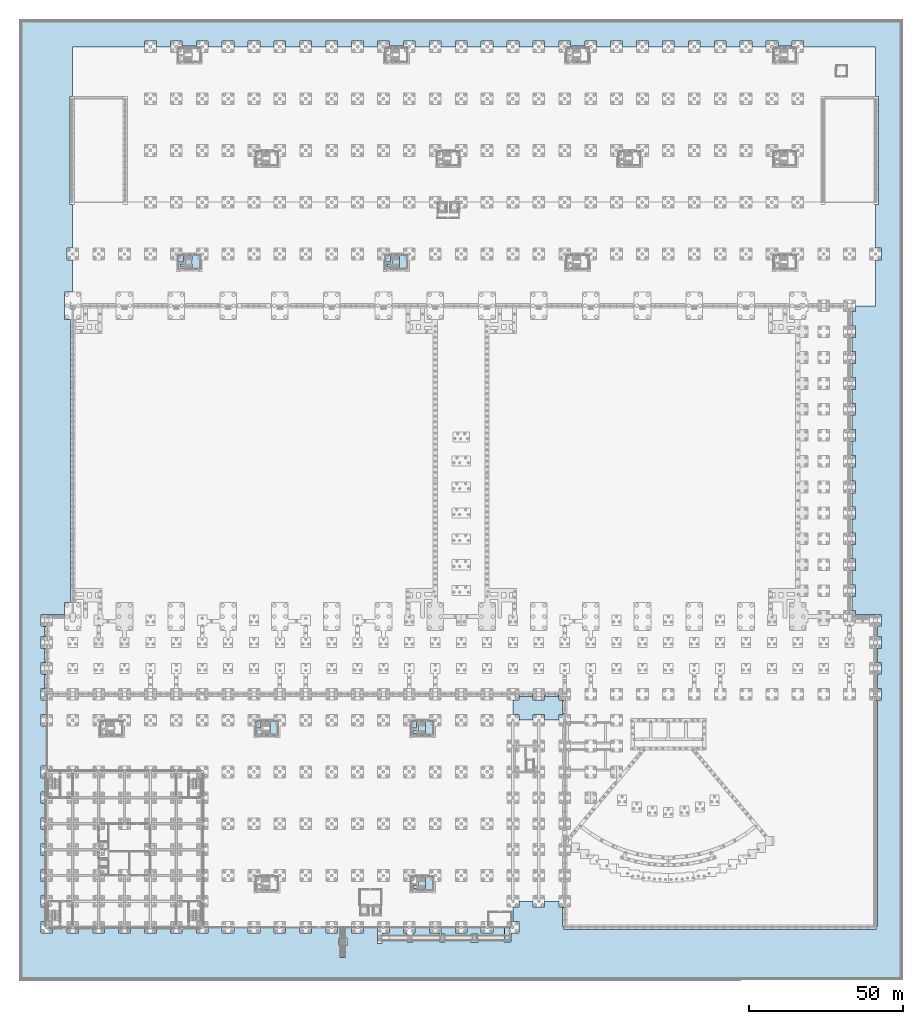
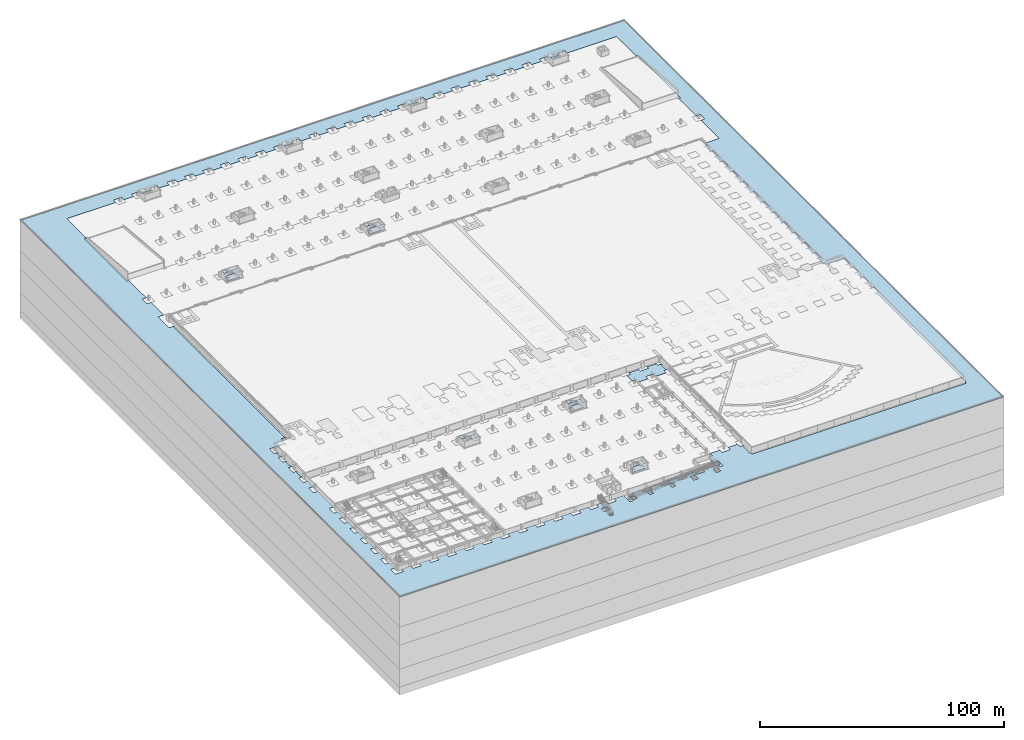
# One storey, part 31 of 67: 18 slabs, 6 elements without a shape of their own.
"""IFC4 building model written with IfcOpenShell, lengths in metres."""

from ifc_helpers import new_model, si_unit, direction, frame, origin, place, context, subcontext, project, spatial, polyline, outline, extrude, material, layer, layer_set, type_object, element, aggregate, save


model = new_model("IFC4")

# Units and contexts
model_context = context("Model", 3, precision=1e-05, world=origin(), true_north=direction((0.0, 1.0)))
body_context = subcontext(model_context, "Body", "Model", "MODEL_VIEW")
ifc_project = project(units=[si_unit("LENGTHUNIT", "METRE"), si_unit("AREAUNIT", "SQUARE_METRE"), si_unit("VOLUMEUNIT", "CUBIC_METRE"), si_unit("PLANEANGLEUNIT", "RADIAN"), si_unit("MASSUNIT", "GRAM", prefix="KILO")], contexts=[model_context])

# Site, building, storey
site_placement = place(None, origin())
site = spatial("IfcSite", under=ifc_project, at=site_placement, CompositionType="ELEMENT")
building_placement = place(site_placement, origin())
building = spatial("IfcBuilding", under=site, at=building_placement, Name="Rain Tree Exposition and Congress Centre", CompositionType="ELEMENT")
storey_placement = place(building_placement, frame((0.0, 0.0, -3.0)))
storey = spatial("IfcBuildingStorey", under=building, at=storey_placement, Name="B1", CompositionType="ELEMENT", Elevation=-3.0)

# Slabs
ifc_material_1 = material(Name="Concrete C40/50", Category="concrete")
ifc_layer_1 = layer(ifc_material_1, 0.300048828125)
ifc_layer_set_1 = layer_set([ifc_layer_1], Name="Concrete C40/50")
slab_type_1 = type_object("IfcSlabType", Name="Base slab 300", PredefinedType="BASESLAB", material=ifc_layer_set_1)
slab_1_placement = place(storey_placement, frame((0.0, 0.0, -0.300048828125)))
element("IfcSlab", 1, at=slab_1_placement, inside=storey, type_object=slab_type_1, Name="Undercroft base slab 1 part 1", PredefinedType="BASESLAB", context=body_context, shape_type="SweptSolid", body=[
    extrude(outline(polyline([(119.5, 66.300048828125), (119.5, 65.300048828125), (118.800048828125, 65.300048828125), (118.800048828125, 65.10009765625), (119.89990234375, 65.10009765625), (120.5, 65.10009765625), (120.5, 63.89990234375), (118.800048828125, 63.89990234375), (118.800048828125, 62.89990234375), (121.800048828125, 62.89990234375), (124.800048828125, 62.89990234375), (124.800048828125, 65.300048828125), (124.10009765625, 65.300048828125), (124.10009765625, 66.300048828125), (121.800048828125, 66.300048828125), (119.5, 66.300048828125)])), origin(), (0.0, 0.0, 1.0), 0.300048828125),
])
slab_2_placement = place(storey_placement, frame((0.0, 0.0, -0.300048828125)))
element("IfcSlab", 2, at=slab_2_placement, inside=storey, type_object=slab_type_1, Name="Undercroft base slab 1 part 4", PredefinedType="BASESLAB", context=body_context, shape_type="SweptSolid", body=[
    extrude(outline(polyline([(119.5, 15.89990234375), (119.5, 14.89990234375), (118.800048828125, 14.89990234375), (118.800048828125, 14.699951171875), (119.89990234375, 14.699951171875), (120.5, 14.699951171875), (120.5, 13.5), (118.800048828125, 13.5), (118.800048828125, 12.5), (121.800048828125, 12.5), (124.800048828125, 12.5), (124.800048828125, 14.89990234375), (124.10009765625, 14.89990234375), (124.10009765625, 15.89990234375), (121.800048828125, 15.89990234375), (119.5, 15.89990234375)])), origin(), (0.0, 0.0, 1.0), 0.300048828125),
])
slab_3_placement = place(storey_placement, frame((0.0, 0.0, -0.300048828125)))
element("IfcSlab", 3, at=slab_3_placement, inside=storey, type_object=slab_type_1, Name="Undercroft base slab 2 part 2", PredefinedType="BASESLAB", context=body_context, shape_type="SweptSolid", body=[
    extrude(outline(polyline([(111.10009765625, 217.5), (111.10009765625, 216.5), (110.39990234375, 216.5), (110.39990234375, 216.300048828125), (111.5, 216.300048828125), (112.10009765625, 216.300048828125), (112.10009765625, 215.10009765625), (110.39990234375, 215.10009765625), (110.39990234375, 214.10009765625), (113.39990234375, 214.10009765625), (116.39990234375, 214.10009765625), (116.39990234375, 216.5), (115.699951171875, 216.5), (115.699951171875, 217.5), (113.39990234375, 217.5), (111.10009765625, 217.5)])), origin(), (0.0, 0.0, 1.0), 0.300048828125),
])
slab_4_placement = place(storey_placement, frame((0.0, 0.0, -0.300048828125)))
element("IfcSlab", 4, at=slab_4_placement, inside=storey, type_object=slab_type_1, Name="Undercroft base slab 2 part 4", PredefinedType="BASESLAB", context=body_context, shape_type="SweptSolid", body=[
    extrude(outline(polyline([(44.300048828125, 216.300048828125), (44.89990234375, 216.300048828125), (44.89990234375, 215.10009765625), (43.199951171875, 215.10009765625), (43.199951171875, 214.10009765625), (46.199951171875, 214.10009765625), (49.199951171875, 214.10009765625), (49.199951171875, 216.5), (48.5, 216.5), (48.5, 217.5), (46.199951171875, 217.5), (43.89990234375, 217.5), (43.89990234375, 216.5), (43.199951171875, 216.5), (43.199951171875, 216.300048828125), (44.300048828125, 216.300048828125)])), origin(), (0.0, 0.0, 1.0), 0.300048828125),
])
ifc_material_2 = material(Name="Concrete C40/50", Category="concrete")
ifc_layer_2 = layer(ifc_material_2, 0.199951171875)
ifc_layer_set_2 = layer_set([ifc_layer_2], Name="Concrete C40/50")
slab_type_2 = type_object("IfcSlabType", Name="Paving slab 200", PredefinedType="BASESLAB", material=ifc_layer_set_2)
slab_5_placement = place(storey_placement, frame((0.0, 0.0, -0.199951171875)))
element("IfcSlab", 5, at=slab_5_placement, inside=storey, type_object=slab_type_2, Name="Boulevard paving 1", PredefinedType="BASESLAB", context=body_context, shape_type="SweptSolid", body=[
    extrude(outline(polyline([(-8.39990234375, 294.0), (-8.39990234375, -16.800048828125), (277.199951171875, -16.800048828125), (277.199951171875, 294.0), (-8.39990234375, 294.0)]), holes=[polyline([(0.0, 43.89990234375), (-1.89990234375, 43.89990234375), (-1.89990234375, 40.10009765625), (0.0, 40.10009765625), (0.0, 35.5), (-1.89990234375, 35.5), (-1.89990234375, 31.699951171875), (0.0, 31.699951171875), (0.0, 27.10009765625), (-1.89990234375, 27.10009765625), (-1.89990234375, 23.300048828125), (0.0, 23.300048828125), (0.0, 18.699951171875), (-1.89990234375, 18.699951171875), (-1.89990234375, 14.89990234375), (0.0, 14.89990234375), (0.0, 10.300048828125), (-1.89990234375, 10.300048828125), (-1.89990234375, 6.5), (0.0, 6.5), (0.0, 1.89990234375), (-1.89990234375, 1.89990234375), (-1.89990234375, -1.89990234375), (1.89990234375, -1.89990234375), (1.89990234375, 0.0), (6.5, 0.0), (6.5, -1.89990234375), (10.300048828125, -1.89990234375), (10.300048828125, 0.0), (14.89990234375, 0.0), (14.89990234375, -1.89990234375), (18.699951171875, -1.89990234375), (18.699951171875, 0.0), (23.300048828125, 0.0), (23.300048828125, -1.89990234375), (27.10009765625, -1.89990234375), (27.10009765625, 0.0), (31.699951171875, 0.0), (31.699951171875, -1.89990234375), (35.5, -1.89990234375), (35.5, 0.0), (40.10009765625, 0.0), (40.10009765625, -1.89990234375), (43.89990234375, -1.89990234375), (43.89990234375, 0.0), (48.5, 0.0), (48.5, -1.89990234375), (52.300048828125, -1.89990234375), (52.300048828125, 0.0), (56.89990234375, 0.0), (56.89990234375, -1.89990234375), (60.699951171875, -1.89990234375), (60.699951171875, 0.0), (65.300048828125, 0.0), (65.300048828125, -1.89990234375), (69.10009765625, -1.89990234375), (69.10009765625, 0.0), (73.699951171875, 0.0), (73.699951171875, -1.89990234375), (77.5, -1.89990234375), (77.5, 0.0), (82.10009765625, 0.0), (82.10009765625, -1.89990234375), (85.89990234375, -1.89990234375), (85.89990234375, 0.0), (90.5, 0.0), (90.5, -1.89990234375), (94.300048828125, -1.89990234375), (94.300048828125, 0.0), (98.89990234375, 0.0), (98.89990234375, -1.89990234375), (102.699951171875, -1.89990234375), (102.699951171875, 0.0), (107.300048828125, 0.0), (107.300048828125, -1.800048828125), (107.199951171875, -1.800048828125), (107.199951171875, -2.60009765625), (107.199951171875, -5.199951171875), (108.800048828125, -5.199951171875), (108.800048828125, -4.39990234375), (111.0, -4.39990234375), (111.0, -2.60009765625), (108.800048828125, -2.60009765625), (108.800048828125, -1.89990234375), (111.10009765625, -1.89990234375), (111.10009765625, 0.0), (115.699951171875, 0.0), (115.699951171875, -1.89990234375), (116.800048828125, -1.89990234375), (116.800048828125, -4.75), (118.699951171875, -4.75), (118.699951171875, -1.89990234375), (119.5, -1.89990234375), (119.5, 0.0), (124.10009765625, 0.0), (124.10009765625, -1.89990234375), (127.300048828125, -1.89990234375), (127.300048828125, -4.75), (129.199951171875, -4.75), (129.199951171875, -2.25), (127.89990234375, -2.25), (127.89990234375, 0.0), (132.5, 0.0), (132.5, -1.89990234375), (136.300048828125, -1.89990234375), (136.300048828125, 0.0), (140.89990234375, 0.0), (140.89990234375, -1.89990234375), (144.699951171875, -1.89990234375), (144.699951171875, 0.0), (149.300048828125, 0.0), (149.300048828125, -2.25), (148.300048828125, -2.25), (148.300048828125, -4.75), (150.5, -4.75), (150.5, -1.89990234375), (153.10009765625, -1.89990234375), (153.10009765625, 1.89990234375), (151.199951171875, 1.89990234375), (151.199951171875, 6.5), (153.10009765625, 6.5), (153.10009765625, 8.39990234375), (157.699951171875, 8.39990234375), (157.699951171875, 6.5), (161.5, 6.5), (161.5, 8.39990234375), (166.10009765625, 8.39990234375), (166.10009765625, 6.5), (168.0, 6.5), (168.0, 6.199951171875), (167.300048828125, 6.199951171875), (167.300048828125, 0.199951171875), (167.800048828125, 0.199951171875), (167.800048828125, -0.699951171875), (175.584716796875, -0.699951171875), (183.369140625, -0.699951171875), (191.15380859375, -0.699951171875), (198.9384765625, -0.699951171875), (206.72314453125, -0.699951171875), (214.5078125, -0.699951171875), (222.292236328125, -0.699951171875), (230.076904296875, -0.699951171875), (237.861572265625, -0.699951171875), (245.646240234375, -0.699951171875), (253.430908203125, -0.699951171875), (261.21533203125, -0.699951171875), (269.0, -0.699951171875), (269.0, 0.199951171875), (269.5, 0.199951171875), (269.5, 8.5), (269.5, 16.800048828125), (269.5, 25.10009765625), (269.5, 33.39990234375), (269.5, 41.699951171875), (269.5, 50.0), (269.5, 58.300048828125), (269.5, 66.60009765625), (269.5, 73.39990234375), (268.800048828125, 73.39990234375), (268.800048828125, 73.699951171875), (270.699951171875, 73.699951171875), (270.699951171875, 77.5), (268.800048828125, 77.5), (268.800048828125, 77.800048828125), (269.5, 77.800048828125), (269.5, 81.800048828125), (268.800048828125, 81.800048828125), (268.800048828125, 82.10009765625), (270.699951171875, 82.10009765625), (270.699951171875, 85.89990234375), (268.800048828125, 85.89990234375), (268.800048828125, 86.199951171875), (269.5, 86.199951171875), (269.5, 90.199951171875), (268.800048828125, 90.199951171875), (268.800048828125, 90.5), (270.699951171875, 90.5), (270.699951171875, 94.300048828125), (268.800048828125, 94.300048828125), (268.800048828125, 94.60009765625), (269.5, 94.60009765625), (269.5, 97.39990234375), (268.800048828125, 97.39990234375), (268.800048828125, 97.699951171875), (270.699951171875, 97.699951171875), (270.699951171875, 101.5), (266.89990234375, 101.5), (266.89990234375, 100.800048828125), (266.60009765625, 100.800048828125), (266.60009765625, 101.5), (262.60009765625, 101.5), (262.60009765625, 100.800048828125), (262.300048828125, 100.800048828125), (262.300048828125, 102.699951171875), (260.39990234375, 102.699951171875), (260.39990234375, 103.0), (261.10009765625, 103.0), (261.10009765625, 107.0), (260.39990234375, 107.0), (260.39990234375, 107.300048828125), (262.300048828125, 107.300048828125), (262.300048828125, 111.10009765625), (260.39990234375, 111.10009765625), (260.39990234375, 111.39990234375), (261.10009765625, 111.39990234375), (261.10009765625, 115.39990234375), (260.39990234375, 115.39990234375), (260.39990234375, 115.699951171875), (262.300048828125, 115.699951171875), (262.300048828125, 119.5), (260.39990234375, 119.5), (260.39990234375, 119.800048828125), (261.10009765625, 119.800048828125), (261.10009765625, 123.800048828125), (260.39990234375, 123.800048828125), (260.39990234375, 124.10009765625), (262.300048828125, 124.10009765625), (262.300048828125, 127.89990234375), (260.39990234375, 127.89990234375), (260.39990234375, 128.199951171875), (261.10009765625, 128.199951171875), (261.10009765625, 132.199951171875), (260.39990234375, 132.199951171875), (260.39990234375, 132.5), (262.300048828125, 132.5), (262.300048828125, 136.300048828125), (260.39990234375, 136.300048828125), (260.39990234375, 136.60009765625), (261.10009765625, 136.60009765625), (261.10009765625, 140.60009765625), (260.39990234375, 140.60009765625), (260.39990234375, 140.89990234375), (262.300048828125, 140.89990234375), (262.300048828125, 144.699951171875), (260.39990234375, 144.699951171875), (260.39990234375, 145.0), (261.10009765625, 145.0), (261.10009765625, 149.0), (260.39990234375, 149.0), (260.39990234375, 149.300048828125), (262.300048828125, 149.300048828125), (262.300048828125, 153.10009765625), (260.39990234375, 153.10009765625), (260.39990234375, 153.39990234375), (261.10009765625, 153.39990234375), (261.10009765625, 157.39990234375), (260.39990234375, 157.39990234375), (260.39990234375, 157.699951171875), (262.300048828125, 157.699951171875), (262.300048828125, 161.5), (260.39990234375, 161.5), (260.39990234375, 161.800048828125), (261.10009765625, 161.800048828125), (261.10009765625, 165.800048828125), (260.39990234375, 165.800048828125), (260.39990234375, 166.10009765625), (262.300048828125, 166.10009765625), (262.300048828125, 169.89990234375), (260.39990234375, 169.89990234375), (260.39990234375, 170.199951171875), (261.10009765625, 170.199951171875), (261.10009765625, 174.199951171875), (260.39990234375, 174.199951171875), (260.39990234375, 174.5), (262.300048828125, 174.5), (262.300048828125, 178.300048828125), (260.39990234375, 178.300048828125), (260.39990234375, 178.60009765625), (261.10009765625, 178.60009765625), (261.10009765625, 182.60009765625), (260.39990234375, 182.60009765625), (260.39990234375, 182.89990234375), (262.300048828125, 182.89990234375), (262.300048828125, 186.699951171875), (260.39990234375, 186.699951171875), (260.39990234375, 187.0), (261.10009765625, 187.0), (261.10009765625, 191.0), (260.39990234375, 191.0), (260.39990234375, 191.300048828125), (262.300048828125, 191.300048828125), (262.300048828125, 195.10009765625), (260.39990234375, 195.10009765625), (260.39990234375, 195.39990234375), (261.10009765625, 195.39990234375), (261.10009765625, 199.39990234375), (260.39990234375, 199.39990234375), (260.39990234375, 199.699951171875), (262.300048828125, 199.699951171875), (262.300048828125, 201.60009765625), (268.800048828125, 201.60009765625), (268.800048828125, 216.5), (270.699951171875, 216.5), (270.699951171875, 220.300048828125), (268.800048828125, 220.300048828125), (268.800048828125, 234.5), (269.699951171875, 234.5), (269.699951171875, 235.199951171875), (269.699951171875, 269.5), (268.800048828125, 269.5), (268.800048828125, 285.60009765625), (245.5, 285.60009765625), (245.5, 287.5), (241.699951171875, 287.5), (241.699951171875, 285.89990234375), (239.39990234375, 285.89990234375), (237.10009765625, 285.89990234375), (237.10009765625, 287.5), (233.300048828125, 287.5), (233.300048828125, 285.60009765625), (228.699951171875, 285.60009765625), (228.699951171875, 287.5), (224.89990234375, 287.5), (224.89990234375, 285.60009765625), (220.300048828125, 285.60009765625), (220.300048828125, 287.5), (216.5, 287.5), (216.5, 285.60009765625), (211.89990234375, 285.60009765625), (211.89990234375, 287.5), (208.10009765625, 287.5), (208.10009765625, 285.60009765625), (203.5, 285.60009765625), (203.5, 287.5), (199.699951171875, 287.5), (199.699951171875, 285.60009765625), (195.10009765625, 285.60009765625), (195.10009765625, 287.5), (191.300048828125, 287.5), (191.300048828125, 285.60009765625), (186.699951171875, 285.60009765625), (186.699951171875, 287.5), (182.89990234375, 287.5), (182.89990234375, 285.60009765625), (178.300048828125, 285.60009765625), (178.300048828125, 287.5), (174.5, 287.5), (174.5, 285.89990234375), (172.199951171875, 285.89990234375), (169.89990234375, 285.89990234375), (169.89990234375, 287.5), (166.10009765625, 287.5), (166.10009765625, 285.60009765625), (161.5, 285.60009765625), (161.5, 287.5), (157.699951171875, 287.5), (157.699951171875, 285.60009765625), (153.10009765625, 285.60009765625), (153.10009765625, 287.5), (149.300048828125, 287.5), (149.300048828125, 285.60009765625), (144.699951171875, 285.60009765625), (144.699951171875, 287.5), (140.89990234375, 287.5), (140.89990234375, 285.60009765625), (136.300048828125, 285.60009765625), (136.300048828125, 287.5), (132.5, 287.5), (132.5, 285.60009765625), (127.89990234375, 285.60009765625), (127.89990234375, 287.5), (124.10009765625, 287.5), (124.10009765625, 285.60009765625), (119.5, 285.60009765625), (119.5, 287.5), (115.699951171875, 287.5), (115.699951171875, 285.89990234375), (113.39990234375, 285.89990234375), (111.10009765625, 285.89990234375), (111.10009765625, 287.5), (107.300048828125, 287.5), (107.300048828125, 285.60009765625), (102.699951171875, 285.60009765625), (102.699951171875, 287.5), (98.89990234375, 287.5), (98.89990234375, 285.60009765625), (94.300048828125, 285.60009765625), (94.300048828125, 287.5), (90.5, 287.5), (90.5, 285.60009765625), (85.89990234375, 285.60009765625), (85.89990234375, 287.5), (82.10009765625, 287.5), (82.10009765625, 285.60009765625), (77.5, 285.60009765625), (77.5, 287.5), (73.699951171875, 287.5), (73.699951171875, 285.60009765625), (69.10009765625, 285.60009765625), (69.10009765625, 287.5), (65.300048828125, 287.5), (65.300048828125, 285.60009765625), (60.699951171875, 285.60009765625), (60.699951171875, 287.5), (56.89990234375, 287.5), (56.89990234375, 285.60009765625), (52.300048828125, 285.60009765625), (52.300048828125, 287.5), (48.5, 287.5), (48.5, 285.89990234375), (46.199951171875, 285.89990234375), (43.89990234375, 285.89990234375), (43.89990234375, 287.5), (40.10009765625, 287.5), (40.10009765625, 285.60009765625), (35.5, 285.60009765625), (35.5, 287.5), (31.699951171875, 287.5), (31.699951171875, 285.60009765625), (8.39990234375, 285.60009765625), (8.39990234375, 269.5), (7.5, 269.5), (7.5, 268.800048828125), (7.5, 234.5), (8.39990234375, 234.5), (8.39990234375, 220.300048828125), (6.5, 220.300048828125), (6.5, 216.5), (8.39990234375, 216.5), (8.39990234375, 206.10009765625), (5.699951171875, 206.10009765625), (5.699951171875, 197.10009765625), (8.39990234375, 197.10009765625), (8.39990234375, 196.800048828125), (7.699951171875, 196.800048828125), (7.699951171875, 192.24169921875), (7.699951171875, 184.033203125), (7.699951171875, 175.824951171875), (7.699951171875, 167.61669921875), (7.699951171875, 159.408203125), (7.699951171875, 151.199951171875), (7.699951171875, 142.99169921875), (7.699951171875, 134.783203125), (7.699951171875, 126.574951171875), (7.699951171875, 118.36669921875), (7.699951171875, 110.158203125), (7.699951171875, 105.60009765625), (8.39990234375, 105.60009765625), (8.39990234375, 105.300048828125), (5.699951171875, 105.300048828125), (5.699951171875, 100.800048828125), (5.39990234375, 100.800048828125), (5.39990234375, 101.5), (2.199951171875, 101.5), (2.199951171875, 100.800048828125), (1.89990234375, 100.800048828125), (1.89990234375, 101.5), (-1.89990234375, 101.5), (-1.89990234375, 97.699951171875), (0.0, 97.699951171875), (0.0, 97.39990234375), (-0.699951171875, 97.39990234375), (-0.699951171875, 94.60009765625), (0.0, 94.60009765625), (0.0, 94.300048828125), (-1.89990234375, 94.300048828125), (-1.89990234375, 90.5), (0.0, 90.5), (0.0, 90.199951171875), (-0.699951171875, 90.199951171875), (-0.699951171875, 86.199951171875), (0.0, 86.199951171875), (0.0, 85.89990234375), (-1.89990234375, 85.89990234375), (-1.89990234375, 82.10009765625), (0.0, 82.10009765625), (0.0, 81.800048828125), (-0.699951171875, 81.800048828125), (-0.699951171875, 77.800048828125), (0.0, 77.800048828125), (0.0, 77.5), (-1.89990234375, 77.5), (-1.89990234375, 73.699951171875), (0.0, 73.699951171875), (0.0, 69.10009765625), (-1.89990234375, 69.10009765625), (-1.89990234375, 65.300048828125), (0.0, 65.300048828125), (0.0, 52.300048828125), (-1.89990234375, 52.300048828125), (-1.89990234375, 48.5), (0.0, 48.5), (0.0, 43.89990234375)]), polyline([(95.10009765625, -8.5), (95.10009765625, -9.800048828125), (96.89990234375, -9.800048828125), (96.89990234375, -8.5), (95.10009765625, -8.5)]), polyline([(94.699951171875, -5.949951171875), (95.39990234375, -5.949951171875), (95.5, -5.949951171875), (96.199951171875, -5.949951171875), (96.5, -5.949951171875), (97.300048828125, -5.949951171875), (97.300048828125, -4.949951171875), (97.300048828125, -4.550048828125), (97.300048828125, -3.550048828125), (96.60009765625, -3.550048828125), (96.5, -3.550048828125), (95.800048828125, -3.550048828125), (95.5, -3.550048828125), (94.699951171875, -3.550048828125), (94.699951171875, -4.550048828125), (94.699951171875, -4.949951171875), (94.699951171875, -5.949951171875)]), polyline([(137.64990234375, -4.89990234375), (138.449951171875, -4.89990234375), (139.050048828125, -4.89990234375), (139.85009765625, -4.89990234375), (139.85009765625, -4.199951171875), (139.85009765625, -3.89990234375), (139.85009765625, -3.199951171875), (139.85009765625, -3.10009765625), (139.85009765625, -2.10009765625), (139.050048828125, -2.10009765625), (138.449951171875, -2.10009765625), (137.64990234375, -2.10009765625), (137.64990234375, -2.800048828125), (137.64990234375, -3.10009765625), (137.64990234375, -3.800048828125), (137.64990234375, -3.89990234375), (137.64990234375, -4.89990234375)])]), origin(), (0.0, 0.0, 1.0), 0.199951171875),
])
slab_6_placement = place(storey_placement, frame((0.0, 0.0, -0.199951171875)))
element("IfcSlab", 6, at=slab_6_placement, inside=storey, type_object=slab_type_2, Name="Boulevard paving 2", PredefinedType="BASESLAB", context=body_context, shape_type="SweptSolid", body=[
    extrude(outline(polyline([(166.10009765625, 75.60009765625), (165.800048828125, 75.60009765625), (165.800048828125, 74.89990234375), (161.800048828125, 74.89990234375), (161.800048828125, 75.60009765625), (161.5, 75.60009765625), (161.5, 73.699951171875), (157.699951171875, 73.699951171875), (157.699951171875, 75.60009765625), (157.39990234375, 75.60009765625), (157.39990234375, 74.89990234375), (153.39990234375, 74.89990234375), (153.39990234375, 75.60009765625), (153.10009765625, 75.60009765625), (153.10009765625, 73.699951171875), (151.199951171875, 73.699951171875), (151.199951171875, 69.10009765625), (153.10009765625, 69.10009765625), (153.10009765625, 67.199951171875), (157.699951171875, 67.199951171875), (157.699951171875, 69.10009765625), (161.5, 69.10009765625), (161.5, 67.199951171875), (166.10009765625, 67.199951171875), (166.10009765625, 69.10009765625), (168.0, 69.10009765625), (168.0, 69.39990234375), (167.300048828125, 69.39990234375), (167.300048828125, 73.39990234375), (168.0, 73.39990234375), (168.0, 73.699951171875), (166.10009765625, 73.699951171875), (166.10009765625, 75.60009765625)])), origin(), (0.0, 0.0, 1.0), 0.199951171875),
])

# Stair, slab
ifc_material_3 = material(Name="Precast concrete C50/60", Category="concrete")
stair_type = type_object("IfcStairType", Name="Exit stair 1600 wide", PredefinedType="HALF_TURN_STAIR", material=ifc_material_3)
stair_1_placement = place(storey_placement, origin())
stair_1 = element("IfcStair", 7, at=stair_1_placement, inside=storey, type_object=stair_type, Name="Exit stair E2", PredefinedType="HALF_TURN_STAIR")
ifc_material_4 = material(Name="Precast concrete C50/60", Category="concrete")
ifc_layer_3 = layer(ifc_material_4, 0.199951171875)
ifc_layer_set_3 = layer_set([ifc_layer_3], Name="Precast concrete C50/60")
slab_type_3 = type_object("IfcSlabType", Name="Precast landing 200", PredefinedType="LANDING", material=ifc_layer_set_3)
slab_7_placement = place(storey_placement, frame((0.0, 0.0, 1.300048828125)))
slab_7 = element("IfcSlab", 8, at=slab_7_placement, type_object=slab_type_3, Name="XS-E2 landing 1", PredefinedType="LANDING", context=body_context, shape_type="SweptSolid", body=[
    extrude(outline(polyline([(122.760009765625, 12.0), (125.300048828125, 12.0), (125.300048828125, 16.39990234375), (122.760009765625, 16.39990234375), (122.760009765625, 12.0)])), origin(), (0.0, 0.0, 1.0), 0.199951171875),
])
aggregate(stair_1, [slab_7])

# Stair, slabs
stair_2_placement = place(storey_placement, origin())
stair_2 = element("IfcStair", 9, at=stair_2_placement, inside=storey, type_object=stair_type, Name="Exit stair E3", PredefinedType="HALF_TURN_STAIR")
slab_8_placement = place(storey_placement, frame((0.0, 0.0, 1.300048828125)))
slab_8 = element("IfcSlab", 10, at=slab_8_placement, type_object=slab_type_3, Name="XS-E3 landing 1", PredefinedType="LANDING", context=body_context, shape_type="SweptSolid", body=[
    extrude(outline(polyline([(72.360107421875, 62.39990234375), (74.89990234375, 62.39990234375), (74.89990234375, 66.800048828125), (72.360107421875, 66.800048828125), (72.360107421875, 62.39990234375)])), origin(), (0.0, 0.0, 1.0), 0.199951171875),
])
slab_9_placement = place(storey_placement, frame((0.0, 0.0, 2.800048828125)))
slab_9 = element("IfcSlab", 11, at=slab_9_placement, type_object=slab_type_3, Name="XS-E3 landing 2", PredefinedType="LANDING", context=body_context, shape_type="SweptSolid", body=[
    extrude(outline(polyline([(67.89990234375, 64.60009765625), (69.5, 64.60009765625), (69.5, 66.800048828125), (67.89990234375, 66.800048828125), (67.89990234375, 64.60009765625)])), origin(), (0.0, 0.0, 1.0), 0.199951171875),
])
aggregate(stair_2, [slab_8, slab_9])

stair_3_placement = place(storey_placement, origin())
stair_3 = element("IfcStair", 12, at=stair_3_placement, inside=storey, type_object=stair_type, Name="Exit stair E4", PredefinedType="HALF_TURN_STAIR")
slab_10_placement = place(storey_placement, frame((0.0, 0.0, 1.300048828125)))
slab_10 = element("IfcSlab", 13, at=slab_10_placement, type_object=slab_type_3, Name="XS-E4 landing 1", PredefinedType="LANDING", context=body_context, shape_type="SweptSolid", body=[
    extrude(outline(polyline([(122.760009765625, 62.39990234375), (125.300048828125, 62.39990234375), (125.300048828125, 66.800048828125), (122.760009765625, 66.800048828125), (122.760009765625, 62.39990234375)])), origin(), (0.0, 0.0, 1.0), 0.199951171875),
])
slab_11_placement = place(storey_placement, frame((0.0, 0.0, 2.800048828125)))
slab_11 = element("IfcSlab", 14, at=slab_11_placement, type_object=slab_type_3, Name="XS-E4 landing 2", PredefinedType="LANDING", context=body_context, shape_type="SweptSolid", body=[
    extrude(outline(polyline([(118.300048828125, 64.60009765625), (119.89990234375, 64.60009765625), (119.89990234375, 66.800048828125), (118.300048828125, 66.800048828125), (118.300048828125, 64.60009765625)])), origin(), (0.0, 0.0, 1.0), 0.199951171875),
])
aggregate(stair_3, [slab_10, slab_11])

stair_4_placement = place(storey_placement, origin())
stair_4 = element("IfcStair", 15, at=stair_4_placement, inside=storey, type_object=stair_type, Name="Exit stair N01", PredefinedType="HALF_TURN_STAIR")
slab_12_placement = place(storey_placement, frame((0.0, 0.0, 1.300048828125)))
slab_12 = element("IfcSlab", 16, at=slab_12_placement, type_object=slab_type_3, Name="XS-N01 landing 1", PredefinedType="LANDING", context=body_context, shape_type="SweptSolid", body=[
    extrude(outline(polyline([(47.159912109375, 213.60009765625), (49.699951171875, 213.60009765625), (49.699951171875, 218.0), (47.159912109375, 218.0), (47.159912109375, 213.60009765625)])), origin(), (0.0, 0.0, 1.0), 0.199951171875),
])
slab_13_placement = place(storey_placement, frame((0.0, 0.0, 2.800048828125)))
slab_13 = element("IfcSlab", 17, at=slab_13_placement, type_object=slab_type_3, Name="XS-N01 landing 2", PredefinedType="LANDING", context=body_context, shape_type="SweptSolid", body=[
    extrude(outline(polyline([(42.699951171875, 215.800048828125), (44.300048828125, 215.800048828125), (44.300048828125, 218.0), (42.699951171875, 218.0), (42.699951171875, 215.800048828125)])), origin(), (0.0, 0.0, 1.0), 0.199951171875),
])
aggregate(stair_4, [slab_12, slab_13])

stair_5_placement = place(storey_placement, origin())
stair_5 = element("IfcStair", 18, at=stair_5_placement, inside=storey, type_object=stair_type, Name="Exit stair N02", PredefinedType="HALF_TURN_STAIR")
slab_14_placement = place(storey_placement, frame((0.0, 0.0, 1.300048828125)))
slab_14 = element("IfcSlab", 19, at=slab_14_placement, type_object=slab_type_3, Name="XS-N02 landing 1", PredefinedType="LANDING", context=body_context, shape_type="SweptSolid", body=[
    extrude(outline(polyline([(114.360107421875, 213.60009765625), (116.89990234375, 213.60009765625), (116.89990234375, 218.0), (114.360107421875, 218.0), (114.360107421875, 213.60009765625)])), origin(), (0.0, 0.0, 1.0), 0.199951171875),
])
slab_15_placement = place(storey_placement, frame((0.0, 0.0, 2.800048828125)))
slab_15 = element("IfcSlab", 20, at=slab_15_placement, type_object=slab_type_3, Name="XS-N02 landing 2", PredefinedType="LANDING", context=body_context, shape_type="SweptSolid", body=[
    extrude(outline(polyline([(109.89990234375, 215.800048828125), (111.5, 215.800048828125), (111.5, 218.0), (109.89990234375, 218.0), (109.89990234375, 215.800048828125)])), origin(), (0.0, 0.0, 1.0), 0.199951171875),
])
aggregate(stair_5, [slab_14, slab_15])

# Ramp, slabs
ifc_material_5 = material(Name="Precast concrete C50/60", Category="concrete")
ramp_type = type_object("IfcRampType", Name="Accessible ramp 1800 wide", PredefinedType="STRAIGHT_RUN_RAMP", material=ifc_material_5)
ramp_placement = place(storey_placement, origin())
ramp = element("IfcRamp", 21, at=ramp_placement, inside=storey, type_object=ramp_type, Name="Accessible ramp RMP-S1", PredefinedType="STRAIGHT_RUN_RAMP")
ifc_material_6 = material(Name="Precast concrete C50/60", Category="concrete")
ifc_layer_4 = layer(ifc_material_6, 0.25)
ifc_layer_set_4 = layer_set([ifc_layer_4], Name="Precast concrete C50/60")
slab_type_4 = type_object("IfcSlabType", Name="Precast landing 250", PredefinedType="LANDING", material=ifc_layer_set_4)
slab_16_placement = place(storey_placement, frame((0.0, 0.0, 1.3798828125)))
slab_16 = element("IfcSlab", 22, at=slab_16_placement, type_object=slab_type_4, Name="Ramp landing 4", PredefinedType="LANDING", context=body_context, shape_type="SweptSolid", body=[
    extrude(outline(polyline([(127.5, -4.39990234375), (129.0, -4.39990234375), (129.0, -2.60009765625), (127.5, -2.60009765625), (127.5, -4.39990234375)])), origin(), (0.0, 0.0, 1.0), 0.25),
])
slab_17_placement = place(storey_placement, frame((0.0, 0.0, 2.06494140625)))
slab_17 = element("IfcSlab", 23, at=slab_17_placement, type_object=slab_type_4, Name="Ramp landing 6", PredefinedType="LANDING", context=body_context, shape_type="SweptSolid", body=[
    extrude(outline(polyline([(138.0, -4.39990234375), (139.5, -4.39990234375), (139.5, -2.60009765625), (138.0, -2.60009765625), (138.0, -4.39990234375)])), origin(), (0.0, 0.0, 1.0), 0.25),
])
slab_18_placement = place(storey_placement, frame((0.0, 0.0, 2.75)))
slab_18 = element("IfcSlab", 24, at=slab_18_placement, type_object=slab_type_4, Name="Ramp landing 8", PredefinedType="LANDING", context=body_context, shape_type="SweptSolid", body=[
    extrude(outline(polyline([(148.5, -4.39990234375), (150.300048828125, -4.39990234375), (150.300048828125, 0.0), (148.5, 0.0), (148.5, -4.39990234375)])), origin(), (0.0, 0.0, 1.0), 0.25),
])
aggregate(ramp, [slab_16, slab_17, slab_18])

save(model, "model.ifc")
